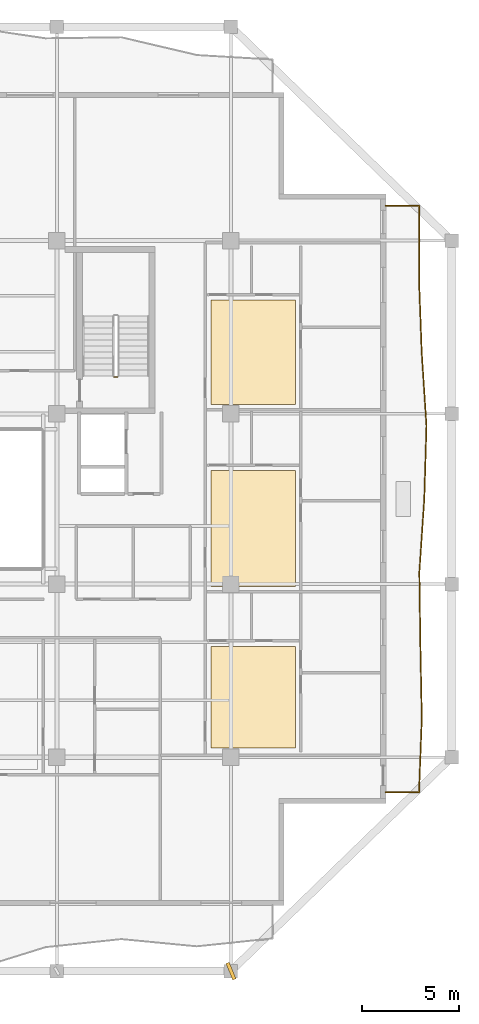
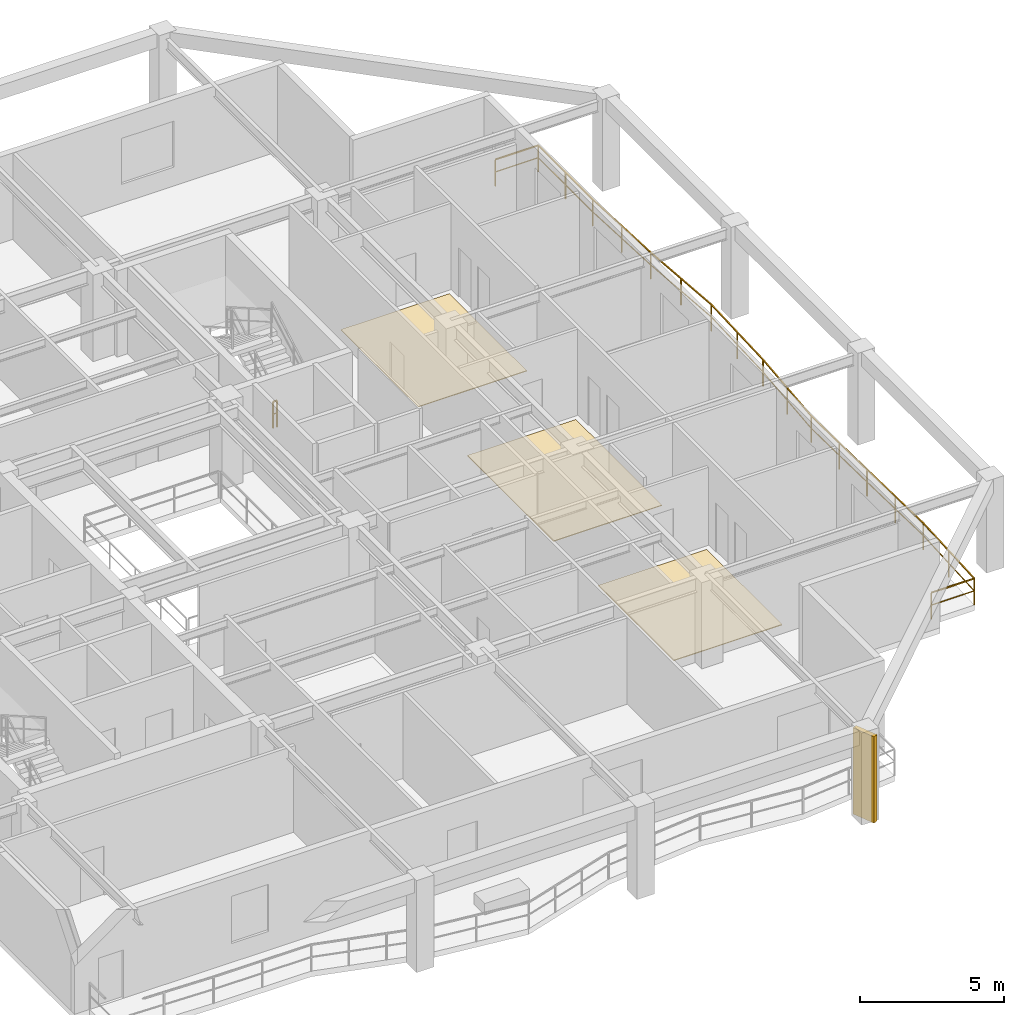
# One storey, part 10 of 13: 3 coverings, 2 railings, 1 shading device.
"""IFC4 building model written with IfcOpenShell, lengths in metres."""

from ifc_helpers import new_model, si_unit, direction, frame, origin, origin_2d, place, context, subcontext, project, spatial, polyline, rectangle, outline, extrude, material, layer, layer_set, type_object, element, save


model = new_model("IFC4")

# Units and contexts
model_context = context("Model", 3, precision=1e-05, world=origin(), true_north=direction((0.0, 1.0)))
body_context = subcontext(model_context, "Body", "Model", "MODEL_VIEW")
ifc_project = project(units=[si_unit("LENGTHUNIT", "METRE"), si_unit("AREAUNIT", "SQUARE_METRE"), si_unit("VOLUMEUNIT", "CUBIC_METRE"), si_unit("PLANEANGLEUNIT", "RADIAN"), si_unit("MASSUNIT", "GRAM", prefix="KILO")], contexts=[model_context])

# Site, building, storey
site_placement = place(None, origin())
site = spatial("IfcSite", under=ifc_project, at=site_placement, CompositionType="ELEMENT")
building_placement = place(site_placement, origin())
building = spatial("IfcBuilding", under=site, at=building_placement, Name="Kundavana Baori Tower", CompositionType="ELEMENT")
storey_placement = place(building_placement, frame((0.0, 0.0, 225.800048828125)))
storey = spatial("IfcBuildingStorey", under=building, at=storey_placement, Name="L55", CompositionType="ELEMENT", Elevation=225.800048828125)

# Coverings
ifc_material_1 = material(Name="Honed Kota Stone and Terrazzo Flooring", Category="masonry")
ifc_layer = layer(ifc_material_1, 0.030029296875, Name="COV-INT-FLR")
ifc_layer_set = layer_set([ifc_layer], Name="Honed Kota Stone and Terrazzo Flooring")
covering_type = type_object("IfcCoveringType", Name="COV-INT-FLR", PredefinedType="FLOORING", material=ifc_layer_set)
covering_1_placement = place(storey_placement, origin())
element("IfcCovering", 1, at=covering_1_placement, inside=storey, type_object=covering_type, Name="L55 Room Finished Stone Flooring 5", PredefinedType="FLOORING", context=body_context, shape_type="SweptSolid", body=[
    extrude(outline(polyline([(41.780029296875, 15.72998046875), (46.1298828125, 15.72998046875), (46.1298828125, 20.97998046875), (41.780029296875, 20.97998046875), (41.780029296875, 15.72998046875)])), origin(), (0.0, 0.0, 1.0), 0.030029296875),
])
covering_2_placement = place(storey_placement, origin())
element("IfcCovering", 2, at=covering_2_placement, inside=storey, type_object=covering_type, Name="L55 Room Finished Stone Flooring 6", PredefinedType="FLOORING", context=body_context, shape_type="SweptSolid", body=[
    extrude(outline(polyline([(41.780029296875, 24.080078125), (46.1298828125, 24.080078125), (46.1298828125, 30.070068359375), (41.780029296875, 30.070068359375), (41.780029296875, 24.080078125)])), origin(), (0.0, 0.0, 1.0), 0.030029296875),
])
covering_3_placement = place(storey_placement, origin())
element("IfcCovering", 3, at=covering_3_placement, inside=storey, type_object=covering_type, Name="L55 Room Finished Stone Flooring 7", PredefinedType="FLOORING", context=body_context, shape_type="SweptSolid", body=[
    extrude(outline(polyline([(41.780029296875, 33.47998046875), (46.1298828125, 33.47998046875), (46.1298828125, 38.8701171875), (41.780029296875, 38.8701171875), (41.780029296875, 33.47998046875)])), origin(), (0.0, 0.0, 1.0), 0.030029296875),
])

# Railings
ifc_material_2 = material(Name="Architectural Patinated Bronze Metalwork")
railing_type_1 = type_object("IfcRailingType", Name="RL-BAL-1150", PredefinedType="BALUSTRADE", material=ifc_material_2)
railing_1_placement = place(storey_placement, frame((50.800048828125, 43.75, 0.0)))
element("IfcRailing", 4, at=railing_1_placement, inside=storey, type_object=railing_type_1, Name="L55 Loggia Balcony Balustrade E", PredefinedType="BALUSTRADE", context=body_context, shape_type="SweptSolid", body=[
    extrude(rectangle(XDim=0.048095703125, YDim=0.048095703125, at=origin_2d()), frame((0.0, 0.0, 1.1259765625), z_axis=(1.0, 0.0, 0.0), x_axis=(0.0, 1.0, 0.0)), (0.0, 0.0, 1.0), 1.719970703125),
    extrude(rectangle(XDim=0.03125, YDim=0.03125, at=origin_2d()), frame((0.0, 0.0, 0.597900390625), z_axis=(1.0, 0.0, 0.0), x_axis=(0.0, 1.0, 0.0)), (0.0, 0.0, 1.0), 1.719970703125),
    extrude(rectangle(XDim=0.048095703125, YDim=0.048095703125, at=origin_2d()), frame((1.719970703125, 0.0, 1.1259765625), z_axis=(0.0, -1.0, 0.0), x_axis=(1.0, 0.0, 0.0)), (0.0, 0.0, 1.0), 3.7880859375),
    extrude(rectangle(XDim=0.03125, YDim=0.03125, at=origin_2d()), frame((1.719970703125, 0.0, 0.597900390625), z_axis=(0.0, -1.0, 0.0), x_axis=(1.0, 0.0, 0.0)), (0.0, 0.0, 1.0), 3.7880859375),
    extrude(rectangle(XDim=0.048095703125, YDim=0.048095703125, at=origin_2d()), frame((1.719970703125, -3.7880859375, 1.1259765625), z_axis=(0.036658986348, -0.999327833456, 0.0), x_axis=(0.999327833456, 0.036658986348, 0.0)), (0.0, 0.0, 1.0), 3.789306640625),
    extrude(rectangle(XDim=0.03125, YDim=0.03125, at=origin_2d()), frame((1.719970703125, -3.7880859375, 0.597900390625), z_axis=(0.036658986348, -0.999327833456, 0.0), x_axis=(0.999327833456, 0.036658986348, 0.0)), (0.0, 0.0, 1.0), 3.789306640625),
    extrude(rectangle(XDim=0.048095703125, YDim=0.048095703125, at=origin_2d()), frame((1.85888671875, -7.574951171875, 1.1259765625), z_axis=(0.064845184304, -0.997895336232, 0.0), x_axis=(0.997895336232, 0.064845184304, 0.0)), (0.0, 0.0, 1.0), 3.795166015625),
    extrude(rectangle(XDim=0.03125, YDim=0.03125, at=origin_2d()), frame((1.85888671875, -7.574951171875, 0.597900390625), z_axis=(0.064845184304, -0.997895336232, 0.0), x_axis=(0.997895336232, 0.064845184304, 0.0)), (0.0, 0.0, 1.0), 3.795166015625),
    extrude(rectangle(XDim=0.048095703125, YDim=0.048095703125, at=origin_2d()), frame((2.10498046875, -11.362060546875, 1.1259765625), z_axis=(-0.029571335266, -0.999562672438, 0.0), x_axis=(0.999562672438, -0.029571335266, 0.0)), (0.0, 0.0, 1.0), 3.78955078125),
    extrude(rectangle(XDim=0.03125, YDim=0.03125, at=origin_2d()), frame((2.10498046875, -11.362060546875, 0.597900390625), z_axis=(-0.029571335266, -0.999562672438, 0.0), x_axis=(0.999562672438, -0.029571335266, 0.0)), (0.0, 0.0, 1.0), 3.78955078125),
    extrude(rectangle(XDim=0.048095703125, YDim=0.048095703125, at=origin_2d()), frame((1.992919921875, -15.14990234375, 1.1259765625), z_axis=(-0.067389637649, -0.997726734501, 0.0), x_axis=(0.997726734501, -0.067389637649, 0.0)), (0.0, 0.0, 1.0), 3.796630859375),
    extrude(rectangle(XDim=0.03125, YDim=0.03125, at=origin_2d()), frame((1.992919921875, -15.14990234375, 0.597900390625), z_axis=(-0.067389637649, -0.997726734501, 0.0), x_axis=(0.997726734501, -0.067389637649, 0.0)), (0.0, 0.0, 1.0), 3.796630859375),
    extrude(rectangle(XDim=0.048095703125, YDim=0.048095703125, at=origin_2d()), frame((1.737060546875, -18.93798828125, 1.1259765625), z_axis=(0.014245588857, -0.999898526451, 0.0), x_axis=(0.999898526451, 0.014245588857, 0.0)), (0.0, 0.0, 1.0), 3.78759765625),
    extrude(rectangle(XDim=0.03125, YDim=0.03125, at=origin_2d()), frame((1.737060546875, -18.93798828125, 0.597900390625), z_axis=(0.014245588857, -0.999898526451, 0.0), x_axis=(0.999898526451, 0.014245588857, 0.0)), (0.0, 0.0, 1.0), 3.78759765625),
    extrude(rectangle(XDim=0.048095703125, YDim=0.048095703125, at=origin_2d()), frame((1.791015625, -22.72509765625, 1.1259765625), z_axis=(0.019273061887, -0.999814257293, 0.0), x_axis=(0.999814257293, 0.019273061887, 0.0)), (0.0, 0.0, 1.0), 3.78759765625),
    extrude(rectangle(XDim=0.03125, YDim=0.03125, at=origin_2d()), frame((1.791015625, -22.72509765625, 0.597900390625), z_axis=(0.019273061887, -0.999814257293, 0.0), x_axis=(0.999814257293, 0.019273061887, 0.0)), (0.0, 0.0, 1.0), 3.78759765625),
    extrude(rectangle(XDim=0.048095703125, YDim=0.048095703125, at=origin_2d()), frame((1.864013671875, -26.511962890625, 1.1259765625), z_axis=(-0.037997803261, -0.999277822704, 0.0), x_axis=(0.999277822704, -0.037997803261, 0.0)), (0.0, 0.0, 1.0), 3.790771484375),
    extrude(rectangle(XDim=0.03125, YDim=0.03125, at=origin_2d()), frame((1.864013671875, -26.511962890625, 0.597900390625), z_axis=(-0.037997803261, -0.999277822704, 0.0), x_axis=(0.999277822704, -0.037997803261, 0.0)), (0.0, 0.0, 1.0), 3.790771484375),
    extrude(rectangle(XDim=0.048095703125, YDim=0.048095703125, at=origin_2d()), frame((1.719970703125, -30.300048828125, 1.1259765625), z_axis=(-1.0, 0.0, 0.0), x_axis=(0.0, -1.0, 0.0)), (0.0, 0.0, 1.0), 1.719970703125),
    extrude(rectangle(XDim=0.03125, YDim=0.03125, at=origin_2d()), frame((1.719970703125, -30.300048828125, 0.597900390625), z_axis=(-1.0, 0.0, 0.0), x_axis=(0.0, -1.0, 0.0)), (0.0, 0.0, 1.0), 1.719970703125),
    extrude(rectangle(XDim=0.0419921875, YDim=0.0419921875, at=origin_2d()), origin(), (0.0, 0.0, 1.0), 1.101806640625),
    extrude(rectangle(XDim=0.0419921875, YDim=0.0419921875, at=origin_2d()), frame((1.719970703125, 0.0, 0.0)), (0.0, 0.0, 1.0), 1.101806640625),
    extrude(rectangle(XDim=0.0419921875, YDim=0.0419921875, at=origin_2d()), frame((1.719970703125, -1.89404296875, 0.0)), (0.0, 0.0, 1.0), 1.101806640625),
    extrude(rectangle(XDim=0.0419921875, YDim=0.0419921875, at=origin_2d()), frame((1.719970703125, -3.7880859375, 0.0)), (0.0, 0.0, 1.0), 1.101806640625),
    extrude(rectangle(XDim=0.0419921875, YDim=0.0419921875, at=origin_2d()), frame((1.78955078125, -5.681640625, 0.0)), (0.0, 0.0, 1.0), 1.101806640625),
    extrude(rectangle(XDim=0.0419921875, YDim=0.0419921875, at=origin_2d()), frame((1.85888671875, -7.574951171875, 0.0)), (0.0, 0.0, 1.0), 1.101806640625),
    extrude(rectangle(XDim=0.0419921875, YDim=0.0419921875, at=origin_2d()), frame((1.98193359375, -9.468505859375, 0.0)), (0.0, 0.0, 1.0), 1.101806640625),
    extrude(rectangle(XDim=0.0419921875, YDim=0.0419921875, at=origin_2d()), frame((2.10498046875, -11.362060546875, 0.0)), (0.0, 0.0, 1.0), 1.101806640625),
    extrude(rectangle(XDim=0.0419921875, YDim=0.0419921875, at=origin_2d()), frame((2.048828125, -13.255859375, 0.0)), (0.0, 0.0, 1.0), 1.101806640625),
    extrude(rectangle(XDim=0.0419921875, YDim=0.0419921875, at=origin_2d()), frame((1.992919921875, -15.14990234375, 0.0)), (0.0, 0.0, 1.0), 1.101806640625),
    extrude(rectangle(XDim=0.0419921875, YDim=0.0419921875, at=origin_2d()), frame((1.864990234375, -17.0439453125, 0.0)), (0.0, 0.0, 1.0), 1.101806640625),
    extrude(rectangle(XDim=0.0419921875, YDim=0.0419921875, at=origin_2d()), frame((1.737060546875, -18.93798828125, 0.0)), (0.0, 0.0, 1.0), 1.101806640625),
    extrude(rectangle(XDim=0.0419921875, YDim=0.0419921875, at=origin_2d()), frame((1.76416015625, -20.83154296875, 0.0)), (0.0, 0.0, 1.0), 1.101806640625),
    extrude(rectangle(XDim=0.0419921875, YDim=0.0419921875, at=origin_2d()), frame((1.791015625, -22.72509765625, 0.0)), (0.0, 0.0, 1.0), 1.101806640625),
    extrude(rectangle(XDim=0.0419921875, YDim=0.0419921875, at=origin_2d()), frame((1.82763671875, -24.61865234375, 0.0)), (0.0, 0.0, 1.0), 1.101806640625),
    extrude(rectangle(XDim=0.0419921875, YDim=0.0419921875, at=origin_2d()), frame((1.864013671875, -26.511962890625, 0.0)), (0.0, 0.0, 1.0), 1.101806640625),
    extrude(rectangle(XDim=0.0419921875, YDim=0.0419921875, at=origin_2d()), frame((1.7919921875, -28.406005859375, 0.0)), (0.0, 0.0, 1.0), 1.101806640625),
    extrude(rectangle(XDim=0.0419921875, YDim=0.0419921875, at=origin_2d()), frame((1.719970703125, -30.300048828125, 0.0)), (0.0, 0.0, 1.0), 1.101806640625),
    extrude(rectangle(XDim=0.0419921875, YDim=0.0419921875, at=origin_2d()), frame((0.0, -30.300048828125, 0.0)), (0.0, 0.0, 1.0), 1.101806640625),
])
ifc_material_3 = material(Name="Architectural Patinated Bronze Metalwork")
railing_type_2 = type_object("IfcRailingType", Name="RL-GRD-1150", PredefinedType="GUARDRAIL", material=ifc_material_3)
railing_2_placement = place(storey_placement, frame((36.929931640625, 34.89990234375, 0.0)))
element("IfcRailing", 5, at=railing_2_placement, inside=storey, type_object=railing_type_2, Name="L55 ST3 stair guard 4", PredefinedType="GUARDRAIL", context=body_context, shape_type="SweptSolid", body=[
    extrude(rectangle(XDim=0.048095703125, YDim=0.048095703125, at=origin_2d()), frame((0.0, 0.0, 1.1259765625), z_axis=(-1.0, 0.0, 0.0), x_axis=(0.0, -1.0, 0.0)), (0.0, 0.0, 1.0), 0.159912109375),
    extrude(rectangle(XDim=0.03125, YDim=0.03125, at=origin_2d()), frame((0.0, 0.0, 0.597900390625), z_axis=(-1.0, 0.0, 0.0), x_axis=(0.0, -1.0, 0.0)), (0.0, 0.0, 1.0), 0.159912109375),
    extrude(rectangle(XDim=0.0419921875, YDim=0.0419921875, at=origin_2d()), origin(), (0.0, 0.0, 1.0), 1.101806640625),
    extrude(rectangle(XDim=0.0419921875, YDim=0.0419921875, at=origin_2d()), frame((-0.159912109375, 0.0, 0.0)), (0.0, 0.0, 1.0), 1.101806640625),
])

# Shading device
ifc_material_4 = material(Name="Red-Buff Dholpur Sandstone Cladding on Concrete C40/50", Category="masonry")
shading_device_type = type_object("IfcShadingDeviceType", Name="SHD-FIN-920", PredefinedType="JALOUSIE", material=ifc_material_4)
shading_device_placement = place(storey_placement, frame((42.800048828125, 4.199951171875, 0.0), z_axis=(0.0, 0.0, 1.0), x_axis=(0.92401305794, 0.382360914263, 0.0)))
element("IfcShadingDevice", 6, at=shading_device_placement, inside=storey, type_object=shading_device_type, Name="L55 Sweeping Dholpur Sandstone Facade Fin 4", PredefinedType="JALOUSIE", context=body_context, shape_type="SweptSolid", body=[
    extrude(rectangle(XDim=0.179931640625, YDim=0.919921875, at=origin_2d()), origin(), (0.0, 0.0, 1.0), 3.659912109375),
])

save(model, "model.ifc")
